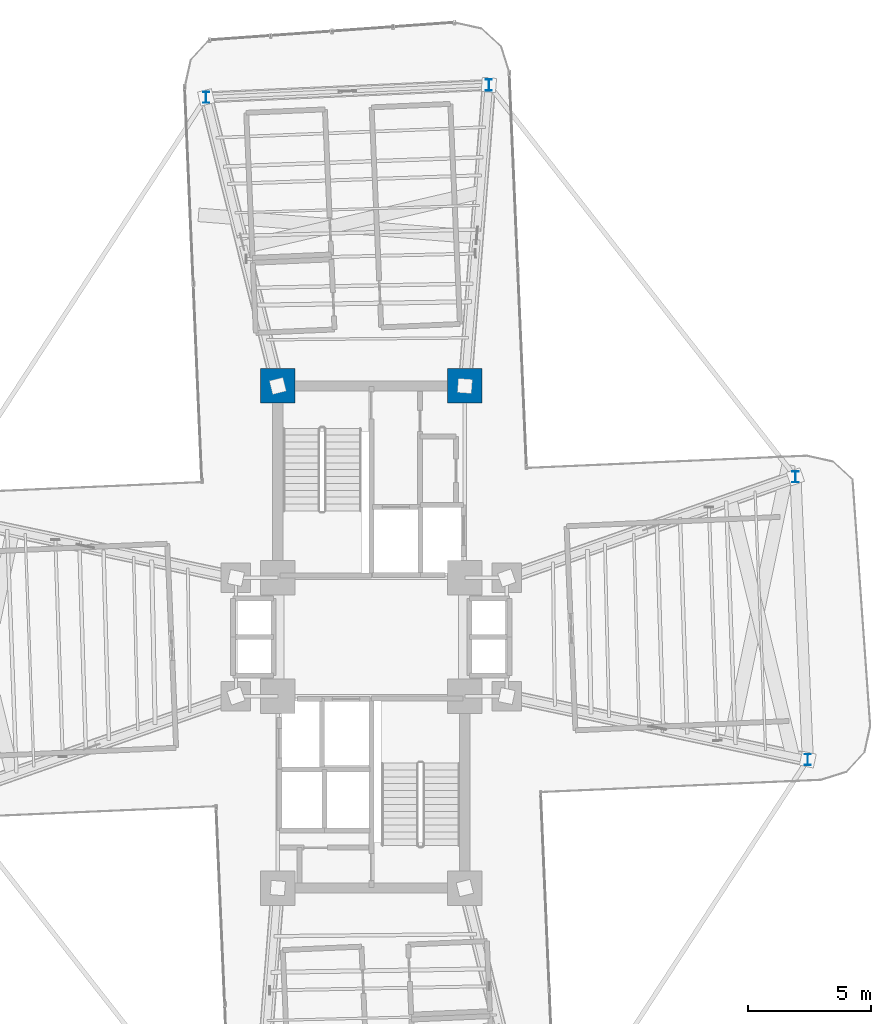
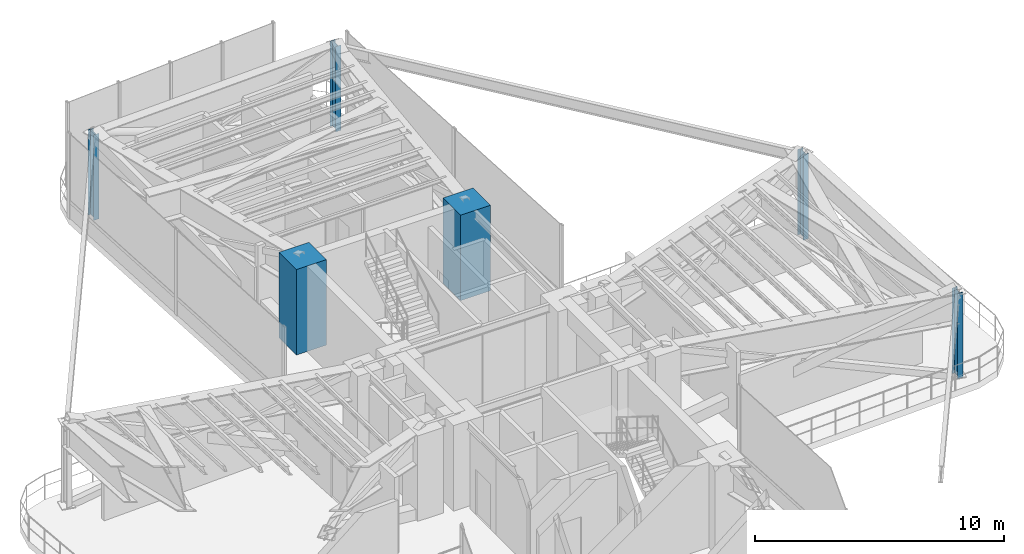
# One storey, part 2 of 18: 6 columns.
"""IFC4 building model written with IfcOpenShell, lengths in metres."""

import ifcopenshell
import ifcopenshell.guid

model = None  # the IFC model being written
_history = None  # IfcOwnerHistory: only IFC2X3 demands one
_inside = {}  # id of a spatial element -> (the spatial element, [elements in it])
_under = {}  # id of a project, library or spatial element -> (it, [spatial elements below it])
_declared = {}  # id of a project -> (the project, [libraries it declares])
_typed = {}  # id of a type object -> (the type object, [elements of that type])
_made_of = {}  # id of a material, layer set ... -> (it, [elements and type objects made of it])


def new_model(schema):
    """Start an empty IFC model of exactly this schema.

    Asked for "IFC4X3", IfcOpenShell would pick the latest addendum, in which some entities
    have other attributes; the version numbers below select the first issue.
    IFC2X3 requires an IfcOwnerHistory on every rooted entity: one is made here for all.
    """
    global model, _history
    if schema == "IFC4X3":
        model = ifcopenshell.file(schema_version=(4, 3, 0, 0))
    else:
        model = ifcopenshell.file(schema=schema)
    _inside.clear()
    _under.clear()
    _declared.clear()
    _typed.clear()
    _made_of.clear()
    _history = None
    if model.schema == "IFC2X3":
        org = make("IfcOrganization", Name="unknown")
        user = make(
            "IfcPersonAndOrganization",
            ThePerson=make("IfcPerson", FamilyName="unknown"),
            TheOrganization=org,
        )
        app = make(
            "IfcApplication",
            ApplicationDeveloper=org,
            Version="unknown",
            ApplicationFullName="unknown",
            ApplicationIdentifier="unknown",
        )
        _history = make(
            "IfcOwnerHistory",
            OwningUser=user,
            OwningApplication=app,
            ChangeAction="ADDED",
            CreationDate=0,
        )
    return model


def make(cls, **values):
    """One entity of the class cls with the attributes given. An attribute that is None is left unset."""
    return model.create_entity(
        cls, **{name: value for name, value in values.items() if value is not None}
    )


def rooted(cls, **values):
    """An entity with a GlobalId (a new one), such as an element, a storey or a relation."""
    return make(cls, GlobalId=ifcopenshell.guid.new(), OwnerHistory=_history, **values)


def si_unit(unit_type, name, prefix=None):
    """IfcSIUnit, for example si_unit("LENGTHUNIT", "METRE", prefix="MILLI")."""
    return make("IfcSIUnit", UnitType=unit_type, Prefix=prefix, Name=name)


def assignment(units):
    """IfcUnitAssignment: the units of a project."""
    return None if units is None else make("IfcUnitAssignment", Units=units)


def point(xyz):
    """IfcCartesianPoint."""
    return None if xyz is None else make("IfcCartesianPoint", Coordinates=xyz)


def direction(xyz):
    """IfcDirection."""
    return None if xyz is None else make("IfcDirection", DirectionRatios=xyz)


def frame(location, z_axis=None, x_axis=None):
    """IfcAxis2Placement3D, a coordinate frame: its origin and axes. An axis left out is left unset."""
    return make(
        "IfcAxis2Placement3D",
        Location=point(location),
        Axis=direction(z_axis),
        RefDirection=direction(x_axis),
    )


def frame_2d(location, x_axis=None):
    """IfcAxis2Placement2D, a coordinate frame in the plane: its origin and x axis."""
    return make(
        "IfcAxis2Placement2D", Location=point(location), RefDirection=direction(x_axis)
    )


def origin():
    """The frame at (0, 0, 0) with its axes left unset."""
    return frame((0.0, 0.0, 0.0))


def origin_2d():
    """The frame at (0, 0) in the plane with its x axis left unset."""
    return frame_2d((0.0, 0.0))


def place(relative_to, where):
    """IfcLocalPlacement: puts the frame where relative to a parent placement (None: the world)."""
    return make(
        "IfcLocalPlacement", PlacementRelTo=relative_to, RelativePlacement=where
    )


def context(
    kind, dimensions, precision=None, world=None, true_north=None, identifier=None
):
    """IfcGeometricRepresentationContext, for example the 3D "Model" context."""
    return make(
        "IfcGeometricRepresentationContext",
        ContextIdentifier=identifier,
        ContextType=kind,
        CoordinateSpaceDimension=dimensions,
        Precision=precision,
        WorldCoordinateSystem=world,
        TrueNorth=true_north,
    )


def subcontext(parent, identifier, kind, view, scale=None):
    """IfcGeometricRepresentationSubContext, for example "Body" below "Model"."""
    return make(
        "IfcGeometricRepresentationSubContext",
        ContextIdentifier=identifier,
        ContextType=kind,
        ParentContext=parent,
        TargetScale=scale,
        TargetView=view,
    )


def project(units=None, contexts=None):
    """IfcProject with its units and contexts."""
    return rooted(
        "IfcProject",
        Name="project",
        RepresentationContexts=contexts,
        UnitsInContext=assignment(units),
    )


def spatial(cls, under=None, at=None, **own):
    """A site, building, storey or space (cls), placed at a placement, below another one or the project."""
    s = rooted(cls, ObjectPlacement=at, **own)
    if under is not None:
        _under.setdefault(under.id(), (under, []))[1].append(s)
    return s


def profile(cls, at=None, kind="AREA", **sizes):
    """A parametric profile (cls). Its sizes go by their IFC names, for example OverallWidth=200.0."""
    return make(cls, ProfileType=kind, Position=at, **sizes)


def rectangle(**sizes):
    """IfcRectangleProfileDef."""
    return profile("IfcRectangleProfileDef", **sizes)


def i_section(**sizes):
    """IfcIShapeProfileDef."""
    return profile("IfcIShapeProfileDef", **sizes)


def extrude(swept, where, along, depth):
    """IfcExtrudedAreaSolid: the profile swept, set in the frame where, extruded along a direction by depth."""
    return make(
        "IfcExtrudedAreaSolid",
        SweptArea=swept,
        Position=where,
        ExtrudedDirection=direction(along),
        Depth=depth,
    )


def shape(context_of_items, identifier, shape_type, items):
    """IfcShapeRepresentation: the items that make up one representation, for example the "Body"."""
    return make(
        "IfcShapeRepresentation",
        ContextOfItems=context_of_items,
        RepresentationIdentifier=identifier,
        RepresentationType=shape_type,
        Items=items,
    )


def source(mapping_origin, context_of_items, identifier, shape_type, items):
    """IfcRepresentationMap: a shape defined once, which mapped items show again and again."""
    return make(
        "IfcRepresentationMap",
        MappingOrigin=mapping_origin,
        MappedRepresentation=shape(context_of_items, identifier, shape_type, items),
    )


def transform(
    local_origin,
    x_axis=None,
    y_axis=None,
    z_axis=None,
    scale=None,
    scale2=None,
    scale3=None,
    uniform=True,
):
    """IfcCartesianTransformationOperator3D, or its non-uniform kind. x_axis, y_axis, z_axis: its Axis1, 2, 3."""
    if uniform:
        return make(
            "IfcCartesianTransformationOperator3D",
            Axis1=direction(x_axis),
            Axis2=direction(y_axis),
            LocalOrigin=point(local_origin),
            Scale=scale,
            Axis3=direction(z_axis),
        )
    return make(
        "IfcCartesianTransformationOperator3DnonUniform",
        Axis1=direction(x_axis),
        Axis2=direction(y_axis),
        LocalOrigin=point(local_origin),
        Scale=scale,
        Axis3=direction(z_axis),
        Scale2=scale2,
        Scale3=scale3,
    )


def mapped(mapping_source, mapping_target):
    """IfcMappedItem: shows the shape of a source again, moved by a transform."""
    return make(
        "IfcMappedItem", MappingSource=mapping_source, MappingTarget=mapping_target
    )


def material(Name=None, Category=None):
    """IfcMaterial."""
    return make("IfcMaterial", Name=Name, Category=Category)


def material_profile(
    of_material, cross_section, Name=None, Category=None, Priority=None
):
    """IfcMaterialProfile: a cross section and its material."""
    return make(
        "IfcMaterialProfile",
        Name=Name,
        Material=of_material,
        Profile=cross_section,
        Priority=Priority,
        Category=Category,
    )


def profile_set(profiles, Name=None, composite=None):
    """IfcMaterialProfileSet."""
    return make(
        "IfcMaterialProfileSet",
        Name=Name,
        MaterialProfiles=profiles,
        CompositeProfile=composite,
    )


def made_of(thing, what):
    """Note that an element or type object is made of a material, layer set ...; save() writes the relation."""
    if what is not None:
        _made_of.setdefault(what.id(), (what, []))[1].append(thing)
    return thing


def type_object(cls, material=None, **own):
    """A type object (cls), such as IfcWallType, which elements share."""
    return made_of(rooted(cls, **own), material)


def element(
    cls,
    number,
    at=None,
    inside=None,
    cuts=None,
    type_object=None,
    material=None,
    context=None,
    identifier="Body",
    shape_type=None,
    held_by="IfcProductDefinitionShape",
    body=None,
    shapes=None,
    **own,
):
    """One element of the class cls, such as IfcWall. Its Tag is "e" and its number.

    at: its placement. inside: the storey or other place that contains it. cuts: it is an
    opening in that element (IfcRelVoidsElement). A single representation is given by context,
    identifier, shape_type and body (its items); several are given by shapes. held_by: the class
    of the entity that holds the representations. save() writes the other relations.
    """
    e = rooted(cls, Tag="e%d" % number, ObjectPlacement=at, **own)
    if body is not None:
        shapes = [shape(context, identifier, shape_type, body)]
    if shapes is not None:
        e.Representation = make(held_by, Representations=shapes)
    if inside is not None:
        _inside.setdefault(inside.id(), (inside, []))[1].append(e)
    if cuts is not None:
        rooted(
            "IfcRelVoidsElement", RelatingBuildingElement=cuts, RelatedOpeningElement=e
        )
    if type_object is not None:
        _typed.setdefault(type_object.id(), (type_object, []))[1].append(e)
    return made_of(e, material)


def aggregate(whole, parts):
    """IfcRelAggregates: a whole, such as a stair, and the parts it consists of."""
    return rooted("IfcRelAggregates", RelatingObject=whole, RelatedObjects=parts)


def save(model, path):
    """Write the relations noted so far, then the file.

    IfcRelAggregates (storeys below a building ...), IfcRelContainedInSpatialStructure (elements
    in a storey), IfcRelDefinesByType, IfcRelAssociatesMaterial and IfcRelDeclares: one each for
    every whole, place, type object, material and project.
    """
    for whole, parts in _under.values():
        aggregate(whole, parts)
    for where, things in _inside.values():
        rooted(
            "IfcRelContainedInSpatialStructure",
            RelatedElements=things,
            RelatingStructure=where,
        )
    for kind, things in _typed.values():
        rooted("IfcRelDefinesByType", RelatedObjects=things, RelatingType=kind)
    for what, things in _made_of.values():
        rooted("IfcRelAssociatesMaterial", RelatedObjects=things, RelatingMaterial=what)
    for by, libraries in _declared.values():
        rooted("IfcRelDeclares", RelatingContext=by, RelatedDefinitions=libraries)
    model.write(path)


model = new_model("IFC4")

# Units and contexts
model_context = context("Model", 3, precision=1e-05, world=origin(), true_north=direction((0.0, 1.0)))
body_context = subcontext(model_context, "Body", "Model", "MODEL_VIEW")
ifc_project = project(units=[si_unit("LENGTHUNIT", "METRE"), si_unit("AREAUNIT", "SQUARE_METRE"), si_unit("VOLUMEUNIT", "CUBIC_METRE"), si_unit("PLANEANGLEUNIT", "RADIAN"), si_unit("MASSUNIT", "GRAM", prefix="KILO")], contexts=[model_context])

# Site, building, storey
site_placement = place(None, origin())
site = spatial("IfcSite", under=ifc_project, at=site_placement, CompositionType="ELEMENT")
building_placement = place(site_placement, origin())
building = spatial("IfcBuilding", under=site, at=building_placement, Name="Sahyath Konkavel Grand Hotel", CompositionType="ELEMENT")
storey_placement = place(building_placement, frame((0.0, 0.0, 138.25)))
storey = spatial("IfcBuildingStorey", under=building, at=storey_placement, Name="L38", CompositionType="ELEMENT", Elevation=138.25)

# Columns
ifc_material_1 = material(Name="Concrete C70/85", Category="concrete")
ifc_material_profile_1 = material_profile(ifc_material_1, rectangle(XDim=1.39990234375, YDim=1.39990234375, at=origin_2d()), Name="RC 1400x1400")
ifc_profile_set_1 = profile_set([ifc_material_profile_1], Name="Concrete C70/85")
column_type_1 = type_object("IfcColumnType", Name="COL-RC1400", PredefinedType="COLUMN", material=ifc_profile_set_1)
shared_shape_1 = source(origin(), body_context, "Body", "SweptSolid", [
    extrude(rectangle(XDim=1.39990234375, YDim=1.39990234375, at=origin_2d()), origin(), (0.0, 0.0, 1.0), 4.179931640625),
])
for number, where, z_axis, x_axis, name in (
    (1, (-3.800048828125, 10.199951171875, 0.0), (0.0, 0.0, 1.0), (1.0, 0.0, 0.0), "L38 Core Boundary Column NC-NW"),
    (2, (3.800048828125, 10.199951171875, 0.0), (0.0, 0.0, 1.0), (1.0, 0.0, 0.0), "L38 Core Boundary Column NC-NE"),
):
    element("IfcColumn", number, at=place(storey_placement, frame(where, z_axis=z_axis, x_axis=x_axis)), inside=storey, type_object=column_type_1, Name=name, PredefinedType="COLUMN", context=body_context, shape_type="MappedRepresentation", body=[
        mapped(shared_shape_1, transform((0.0, 0.0, 0.0), scale=1.0)),
    ])
ifc_material_2 = material(Name="Steel E450", Category="steel")
ifc_material_profile_2 = material_profile(ifc_material_2, i_section(OverallWidth=0.25, OverallDepth=0.449951171875, WebThickness=0.013671875, FlangeThickness=0.013671875, FilletRadius=0.014892578125, at=origin_2d()), Name="ISHB 450")
ifc_profile_set_2 = profile_set([ifc_material_profile_2], Name="Steel E450")
column_type_2 = type_object("IfcColumnType", Name="COL-ISHB450", PredefinedType="COLUMN", material=ifc_profile_set_2)
shared_shape_2 = source(origin(), body_context, "Body", "SweptSolid", [
    extrude(i_section(OverallWidth=0.25, OverallDepth=0.449951171875, WebThickness=0.013671875, FlangeThickness=0.013671875, FilletRadius=0.014892578125, at=origin_2d()), origin(), (0.0, 0.0, 1.0), 4.179931640625),
])
for number, where, z_axis, x_axis, name in (
    (3, (17.734130859375, -4.981201171875, 0.0), (0.0, 0.0, 1.0), (1.0, 0.0, 0.0), "L38 Cruciform Wing Column WC-EA"),
    (4, (17.232421875, 6.5078125, 0.0), (0.0, 0.0, 1.0), (1.0, 0.0, 0.0), "L38 Cruciform Wing Column WC-EB"),
    (5, (4.776123046875, 22.4296875, 0.0), (0.0, 0.0, 1.0), (1.0, 0.0, 0.0), "L38 Cruciform Wing Column WC-NA"),
    (6, (-6.712890625, 21.927978515625, 0.0), (0.0, 0.0, 1.0), (1.0, 0.0, 0.0), "L38 Cruciform Wing Column WC-NB"),
):
    element("IfcColumn", number, at=place(storey_placement, frame(where, z_axis=z_axis, x_axis=x_axis)), inside=storey, type_object=column_type_2, Name=name, PredefinedType="COLUMN", context=body_context, shape_type="MappedRepresentation", body=[
        mapped(shared_shape_2, transform((0.0, 0.0, 0.0), scale=1.0)),
    ])

save(model, "model.ifc")
